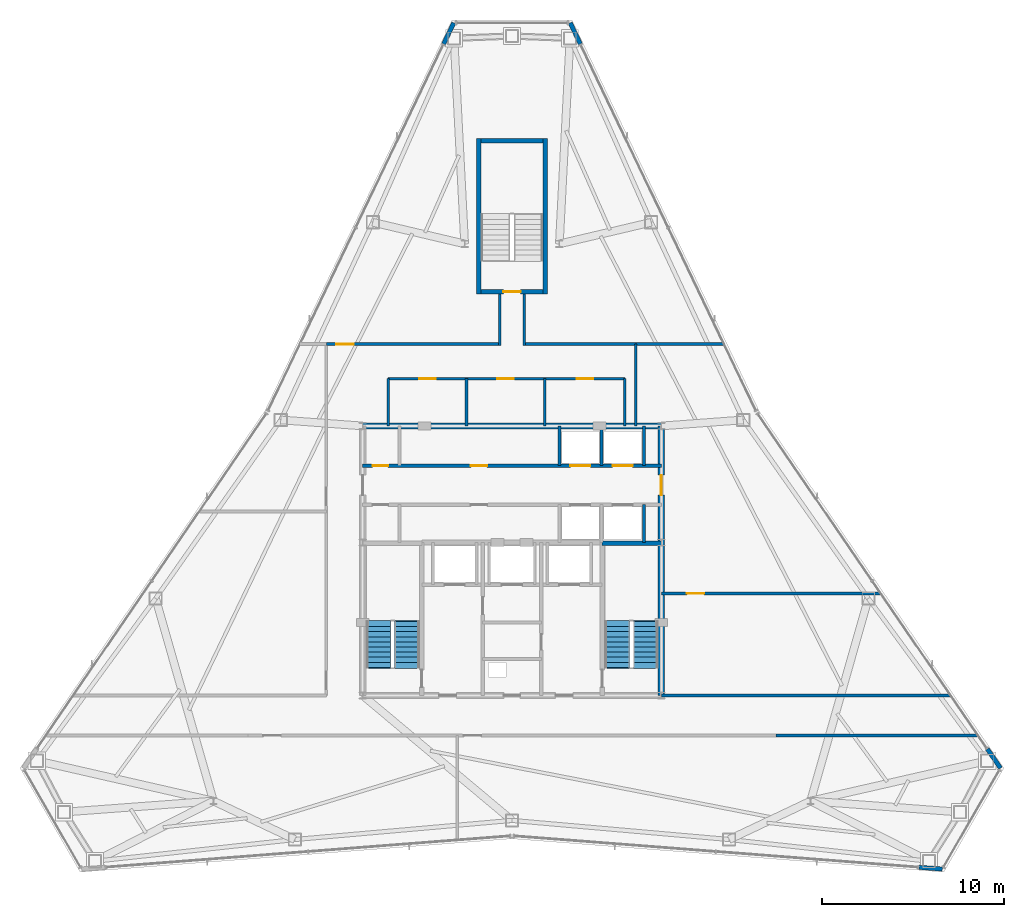
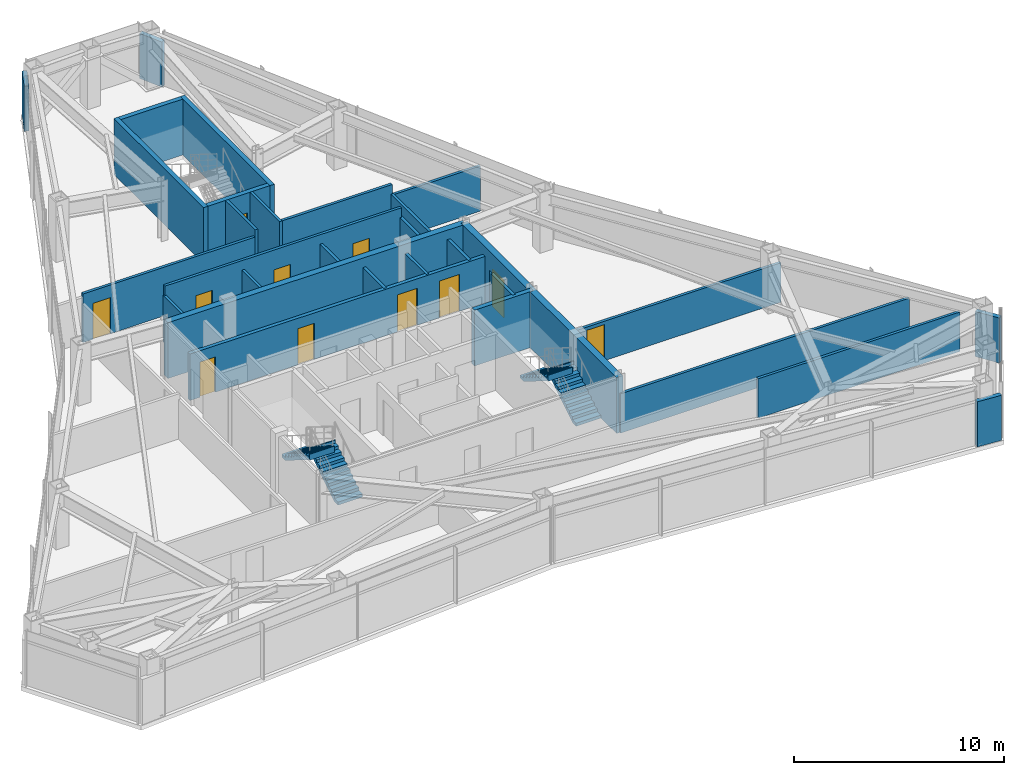
# One storey, part 10 of 12: 30 walls, 11 doors, 4 stair flights, 11 openings, 2 elements without a shape of their own.
"""IFC4 building model written with IfcOpenShell, lengths in metres."""

from ifc_helpers import new_model, si_unit, direction, frame, frame_2d, origin, place, context, subcontext, project, spatial, polyline, rectangle, outline, extrude, material, layer, layer_set, type_object, element, fill, aggregate, save


model = new_model("IFC4")

# Units and contexts
model_context = context("Model", 3, precision=1e-05, world=origin(), true_north=direction((0.0, 1.0)))
body_context = subcontext(model_context, "Body", "Model", "MODEL_VIEW")
ifc_project = project(units=[si_unit("LENGTHUNIT", "METRE"), si_unit("AREAUNIT", "SQUARE_METRE"), si_unit("VOLUMEUNIT", "CUBIC_METRE"), si_unit("PLANEANGLEUNIT", "RADIAN"), si_unit("MASSUNIT", "GRAM", prefix="KILO")], contexts=[model_context])

# Site, building, storey
site_placement = place(None, origin())
site = spatial("IfcSite", under=ifc_project, at=site_placement, CompositionType="ELEMENT")
building_placement = place(site_placement, origin())
building = spatial("IfcBuilding", under=site, at=building_placement, Name="Varakhsha Concourse Tower", CompositionType="ELEMENT")
storey_placement = place(building_placement, frame((0.0, 0.0, 218.89990234375)))
storey = spatial("IfcBuildingStorey", under=building, at=storey_placement, Name="L62", CompositionType="ELEMENT", Elevation=218.89990234375)

# Wall
ifc_material_1 = material(Name="Concrete fc 65 MPa", Category="concrete")
ifc_layer_1 = layer(ifc_material_1, 0.35009765625, Name="WL-CORE-350")
ifc_layer_set_1 = layer_set([ifc_layer_1], Name="Concrete fc 65 MPa")
wall_type_1 = type_object("IfcWallType", Name="WL-CORE-350", PredefinedType="SHEAR", material=ifc_layer_set_1)
wall_1_placement = place(storey_placement, frame((31.800048828125, 31.199951171875, 0.0), z_axis=(0.0, 0.0, 1.0), x_axis=(1.0, 0.0, 0.0)))
element("IfcWall", 1, at=wall_1_placement, inside=storey, type_object=wall_type_1, Name="L62 Wall CWALL-N-L62", PredefinedType="SHEAR", context=body_context, shape_type="SweptSolid", body=[
    extrude(rectangle(XDim=16.39990234375, YDim=0.35009765625, at=frame_2d((8.199951171875, 0.0))), origin(), (0.0, 0.0, 1.0), 3.25),
])

# Wall, opening, door
wall_2_placement = place(storey_placement, frame((48.199951171875, 16.39990234375, 0.0), z_axis=(0.0, 0.0, 1.0), x_axis=(0.0, 1.0, 0.0)))
wall_2 = element("IfcWall", 2, at=wall_2_placement, inside=storey, type_object=wall_type_1, Name="L62 Wall CWALL-E-L62", PredefinedType="SHEAR", context=body_context, shape_type="SweptSolid", body=[
    extrude(rectangle(XDim=14.800048828125, YDim=0.35009765625, at=frame_2d((7.39990234375, 0.0))), origin(), (0.0, 0.0, 1.0), 3.25),
])
opening_1_placement = place(wall_2_placement, frame((11.0, 0.0, 0.0)))
opening_1 = element("IfcOpeningElement", 3, at=opening_1_placement, cuts=wall_2, Name="Opening DL-01", PredefinedType="OPENING", context=body_context, shape_type="SweptSolid", body=[
    extrude(rectangle(XDim=1.10009765625, YDim=2.14990234375, at=frame_2d((0.550048828125, 1.074951171875))), frame((0.0, 0.18505859375, 0.0), z_axis=(0.0, -1.0, 0.0), x_axis=(1.0, 0.0, 0.0)), (0.0, 0.0, 1.0), 0.3701171875),
])
ifc_material_2 = material(Name="Anodised Bronze Architectural Aluminium AA 6063-T6", Category="aluminium")
door_type_1 = type_object("IfcDoorType", Name="DR-LOB-1100", OperationType="NOTDEFINED", PredefinedType="DOOR", material=ifc_material_2)
door_1_placement = place(opening_1_placement, origin())
door_1 = element("IfcDoor", 4, at=door_1_placement, inside=storey, type_object=door_type_1, Name="L62 Lift Lobby East Concourse Door", OperationType="SINGLE_SWING_RIGHT", OverallHeight=2.14990234375, OverallWidth=1.10009765625, PredefinedType="DOOR", context=body_context, shape_type="SweptSolid", body=[
    extrude(rectangle(XDim=1.10009765625, YDim=2.14990234375, at=frame_2d((0.550048828125, 1.074951171875))), frame((0.0, 0.02490234375, 0.0), z_axis=(0.0, -1.0, 0.0), x_axis=(1.0, 0.0, 0.0)), (0.0, 0.0, 1.0), 0.050048828125),
])
fill(opening_1, door_1)

# Walls
ifc_material_3 = material(Name="Concrete fc 45 MPa", Category="concrete")
ifc_layer_2 = layer(ifc_material_3, 0.239990234375, Name="WL-EXT-CRN-240")
ifc_layer_set_2 = layer_set([ifc_layer_2], Name="Concrete fc 45 MPa")
wall_type_2 = type_object("IfcWallType", Name="WL-EXT-CRN-240", PredefinedType="SHEAR", material=ifc_layer_set_2)
wall_3_placement = place(storey_placement, frame((36.7998046875, 53.33544921875, 0.0), z_axis=(0.0, 0.0, 1.0), x_axis=(-0.431865736831, -0.901937905485, 0.0)))
element("IfcWall", 5, at=wall_3_placement, inside=storey, type_object=wall_type_2, Name="L62 Wind-Corner Shoulder Wall F2", PredefinedType="SHEAR", context=body_context, shape_type="SweptSolid", body=[
    extrude(rectangle(XDim=1.284423828125, YDim=0.239990234375, at=frame_2d((0.64208984375, 0.0))), origin(), (0.0, 0.0, 1.0), 2.623046875),
])
wall_4_placement = place(storey_placement, frame((62.351318359375, 6.959716796875, 0.0), z_axis=(0.0, 0.0, 1.0), x_axis=(0.997033205721, -0.076972635974, 0.0)))
element("IfcWall", 6, at=wall_4_placement, inside=storey, type_object=wall_type_2, Name="L62 Wind-Corner Shoulder Wall F6", PredefinedType="SHEAR", context=body_context, shape_type="SweptSolid", body=[
    extrude(rectangle(XDim=1.28466796875, YDim=0.239990234375, at=frame_2d((0.642333984375, 0.0))), origin(), (0.0, 0.0, 1.0), 2.623046875),
])
for number, where, z_axis, x_axis, name in (
    (7, (66.832275390625, 12.40380859375, 0.0), (0.0, 0.0, 1.0), (-0.565269764291, 0.824906111978, 0.0), "L62 Wind-Corner Shoulder Wall F8"),
    (8, (43.7548828125, 52.177001953125, 0.0), (0.0, 0.0, 1.0), (-0.431865736831, 0.901937905485, 0.0), "L62 Wind-Corner Shoulder Wall F9"),
):
    element("IfcWall", number, at=place(storey_placement, frame(where, z_axis=z_axis, x_axis=x_axis)), inside=storey, type_object=wall_type_2, Name=name, PredefinedType="SHEAR", context=body_context, shape_type="SweptSolid", body=[
        extrude(rectangle(XDim=1.284423828125, YDim=0.239990234375, at=frame_2d((0.64208984375, 0.0))), origin(), (0.0, 0.0, 1.0), 2.623046875),
    ])

# Wall, openings, doors
ifc_material_4 = material(Name="Fire-Rated Type X Gypsum Partition Assembly", Category="gypsum")
ifc_layer_3 = layer(ifc_material_4, 0.14990234375, Name="WL-PART-150")
ifc_layer_set_3 = layer_set([ifc_layer_3], Name="Fire-Rated Type X Gypsum Partition Assembly")
wall_type_3 = type_object("IfcWallType", Name="WL-PART-150", PredefinedType="PARTITIONING", material=ifc_layer_set_3)
wall_5_placement = place(storey_placement, frame((33.199951171875, 33.800048828125, 0.0), z_axis=(0.0, 0.0, 1.0), x_axis=(1.0, 0.0, 0.0)))
wall_5 = element("IfcWall", 9, at=wall_5_placement, inside=storey, type_object=wall_type_3, Name="L62 Wall NBOH-N-L62", PredefinedType="PARTITIONING", context=body_context, shape_type="SweptSolid", body=[
    extrude(rectangle(XDim=13.0, YDim=0.14990234375, at=frame_2d((6.5, 0.0))), origin(), (0.0, 0.0, 1.0), 3.25),
])
opening_2_placement = place(wall_5_placement, frame((1.699951171875, 0.0, 0.0)))
opening_2 = element("IfcOpeningElement", 10, at=opening_2_placement, cuts=wall_5, Name="Opening DF-06", PredefinedType="OPENING", context=body_context, shape_type="SweptSolid", body=[
    extrude(rectangle(XDim=0.89990234375, YDim=2.10009765625, at=frame_2d((0.449951171875, 1.050048828125))), frame((0.0, 0.0849609375, 0.0), z_axis=(0.0, -1.0, 0.0), x_axis=(1.0, 0.0, 0.0)), (0.0, 0.0, 1.0), 0.169921875),
])
opening_3_placement = place(wall_5_placement, frame((6.0, 0.0, 0.0)))
opening_3 = element("IfcOpeningElement", 11, at=opening_3_placement, cuts=wall_5, Name="Opening DF-06", PredefinedType="OPENING", context=body_context, shape_type="SweptSolid", body=[
    extrude(rectangle(XDim=0.89990234375, YDim=2.10009765625, at=frame_2d((0.449951171875, 1.050048828125))), frame((0.0, 0.0849609375, 0.0), z_axis=(0.0, -1.0, 0.0), x_axis=(1.0, 0.0, 0.0)), (0.0, 0.0, 1.0), 0.169921875),
])
opening_4_placement = place(wall_5_placement, frame((10.35009765625, 0.0, 0.0)))
opening_4 = element("IfcOpeningElement", 12, at=opening_4_placement, cuts=wall_5, Name="Opening DF-06", PredefinedType="OPENING", context=body_context, shape_type="SweptSolid", body=[
    extrude(rectangle(XDim=0.89990234375, YDim=2.10009765625, at=frame_2d((0.449951171875, 1.050048828125))), frame((0.0, 0.0849609375, 0.0), z_axis=(0.0, -1.0, 0.0), x_axis=(1.0, 0.0, 0.0)), (0.0, 0.0, 1.0), 0.169921875),
])
ifc_material_5 = material(Name="Hollow Galvanised Steel Fire Door Assembly", Category="steel")
door_type_2 = type_object("IfcDoorType", Name="DR-FD60-900", OperationType="NOTDEFINED", PredefinedType="DOOR", material=ifc_material_5)
door_2_placement = place(opening_2_placement, origin())
door_2 = element("IfcDoor", 13, at=door_2_placement, inside=storey, type_object=door_type_2, Name="L62 Men Restroom WC Door", OperationType="SINGLE_SWING_LEFT", OverallHeight=2.10009765625, OverallWidth=0.89990234375, PredefinedType="DOOR", context=body_context, shape_type="SweptSolid", body=[
    extrude(rectangle(XDim=0.89990234375, YDim=2.10009765625, at=frame_2d((0.449951171875, 1.050048828125))), frame((0.0, 0.02490234375, 0.0), z_axis=(0.0, -1.0, 0.0), x_axis=(1.0, 0.0, 0.0)), (0.0, 0.0, 1.0), 0.050048828125),
])
fill(opening_2, door_2)
door_3_placement = place(opening_3_placement, origin())
door_3 = element("IfcDoor", 14, at=door_3_placement, inside=storey, type_object=door_type_2, Name="L62 Women Restroom WC Door", OperationType="SINGLE_SWING_RIGHT", OverallHeight=2.10009765625, OverallWidth=0.89990234375, PredefinedType="DOOR", context=body_context, shape_type="SweptSolid", body=[
    extrude(rectangle(XDim=0.89990234375, YDim=2.10009765625, at=frame_2d((0.449951171875, 1.050048828125))), frame((0.0, 0.02490234375, 0.0), z_axis=(0.0, -1.0, 0.0), x_axis=(1.0, 0.0, 0.0)), (0.0, 0.0, 1.0), 0.050048828125),
])
fill(opening_3, door_3)
door_4_placement = place(opening_4_placement, origin())
door_4 = element("IfcDoor", 15, at=door_4_placement, inside=storey, type_object=door_type_2, Name="L62 Accessible WC Door", OperationType="SINGLE_SWING_LEFT", OverallHeight=2.10009765625, OverallWidth=0.89990234375, PredefinedType="DOOR", context=body_context, shape_type="SweptSolid", body=[
    extrude(rectangle(XDim=0.89990234375, YDim=2.10009765625, at=frame_2d((0.449951171875, 1.050048828125))), frame((0.0, 0.02490234375, 0.0), z_axis=(0.0, -1.0, 0.0), x_axis=(1.0, 0.0, 0.0)), (0.0, 0.0, 1.0), 0.050048828125),
])
fill(opening_4, door_4)

# Walls
for number, where, z_axis, x_axis, name in (
    (16, (33.199951171875, 31.199951171875, 0.0), (0.0, 0.0, 1.0), (0.0, 1.0, 0.0), "L62 Wall NBOH-W-L62"),
    (17, (46.199951171875, 31.199951171875, 0.0), (0.0, 0.0, 1.0), (0.0, 1.0, 0.0), "L62 Wall NBOH-E-L62"),
    (18, (37.5, 31.199951171875, 0.0), (0.0, 0.0, 1.0), (0.0, 1.0, 0.0), "L62 Wall NBOH-D1-L62"),
    (19, (41.800048828125, 31.199951171875, 0.0), (0.0, 0.0, 1.0), (0.0, 1.0, 0.0), "L62 Wall NBOH-D2-L62"),
):
    element("IfcWall", number, at=place(storey_placement, frame(where, z_axis=z_axis, x_axis=x_axis)), inside=storey, type_object=wall_type_3, Name=name, PredefinedType="PARTITIONING", context=body_context, shape_type="SweptSolid", body=[
        extrude(rectangle(XDim=2.60009765625, YDim=0.14990234375, at=frame_2d((1.300048828125, 0.0))), origin(), (0.0, 0.0, 1.0), 2.705078125),
    ])
wall_6_placement = place(storey_placement, frame((54.5, 14.199951171875, 0.0), z_axis=(0.0, 0.0, 1.0), x_axis=(1.0, 0.0, 0.0)))
element("IfcWall", 20, at=wall_6_placement, inside=storey, type_object=wall_type_3, Name="L62 Wall CRW-SGAL-SE-L62", PredefinedType="PARTITIONING", context=body_context, shape_type="SweptSolid", body=[
    extrude(rectangle(XDim=11.095458984375, YDim=0.14990234375, at=frame_2d((5.5478515625, 0.0))), origin(), (0.0, 0.0, 1.0), 2.2919921875),
])
wall_7_placement = place(storey_placement, frame((48.199951171875, 16.39990234375, 0.0), z_axis=(0.0, 0.0, 1.0), x_axis=(1.0, 0.0, 0.0)))
element("IfcWall", 21, at=wall_7_placement, inside=storey, type_object=wall_type_3, Name="L62 Wall CRW-SGAL-NE-L62", PredefinedType="PARTITIONING", context=body_context, shape_type="SweptSolid", body=[
    extrude(rectangle(XDim=15.888427734375, YDim=0.14990234375, at=frame_2d((7.9443359375, 0.0))), origin(), (0.0, 0.0, 1.0), 2.2919921875),
])

# Wall, opening, door
wall_8_placement = place(storey_placement, frame((29.800048828125, 35.699951171875, 0.0), z_axis=(0.0, 0.0, 1.0), x_axis=(1.0, 0.0, 0.0)))
wall_8 = element("IfcWall", 22, at=wall_8_placement, inside=storey, type_object=wall_type_3, Name="L62 Wall CRW-N-L62", PredefinedType="PARTITIONING", context=body_context, shape_type="SweptSolid", body=[
    extrude(rectangle(XDim=9.449951171875, YDim=0.14990234375, at=frame_2d((4.72509765625, 0.0))), origin(), (0.0, 0.0, 1.0), 2.8330078125),
])
opening_5_placement = place(wall_8_placement, frame((0.550048828125, 0.0, 0.0)))
opening_5 = element("IfcOpeningElement", 23, at=opening_5_placement, cuts=wall_8, Name="Opening DF-05", PredefinedType="OPENING", context=body_context, shape_type="SweptSolid", body=[
    extrude(rectangle(XDim=0.949951171875, YDim=2.10009765625, at=frame_2d((0.47509765625, 1.050048828125))), frame((0.0, 0.0849609375, 0.0), z_axis=(0.0, -1.0, 0.0), x_axis=(1.0, 0.0, 0.0)), (0.0, 0.0, 1.0), 0.169921875),
])
door_type_3 = type_object("IfcDoorType", Name="DR-FD60-950", OperationType="NOTDEFINED", PredefinedType="DOOR", material=ifc_material_5)
door_5_placement = place(opening_5_placement, origin())
door_5 = element("IfcDoor", 24, at=door_5_placement, inside=storey, type_object=door_type_3, Name="L62 Mountain View Portfolio Risk Office L62-N1 Door", OperationType="SINGLE_SWING_LEFT", OverallHeight=2.10009765625, OverallWidth=0.949951171875, PredefinedType="DOOR", context=body_context, shape_type="SweptSolid", body=[
    extrude(rectangle(XDim=0.949951171875, YDim=2.10009765625, at=frame_2d((0.47509765625, 1.050048828125))), frame((0.0, 0.02490234375, 0.0), z_axis=(0.0, -1.0, 0.0), x_axis=(1.0, 0.0, 0.0)), (0.0, 0.0, 1.0), 0.050048828125),
])
fill(opening_5, door_5)

# Walls
wall_9_placement = place(storey_placement, frame((40.75, 35.699951171875, 0.0), z_axis=(0.0, 0.0, 1.0), x_axis=(1.0, 0.0, 0.0)))
element("IfcWall", 25, at=wall_9_placement, inside=storey, type_object=wall_type_3, Name="L62 Wall CRW-N-L62-B", PredefinedType="PARTITIONING", context=body_context, shape_type="SweptSolid", body=[
    extrude(rectangle(XDim=6.050048828125, YDim=0.14990234375, at=frame_2d((3.02490234375, 0.0))), origin(), (0.0, 0.0, 1.0), 3.25),
])
wall_10_placement = place(storey_placement, frame((46.800048828125, 31.199951171875, 0.0), z_axis=(0.0, 0.0, 1.0), x_axis=(0.0, 1.0, 0.0)))
element("IfcWall", 26, at=wall_10_placement, inside=storey, type_object=wall_type_3, Name="L62 Wall CRW-NE-L62", PredefinedType="PARTITIONING", context=body_context, shape_type="SweptSolid", body=[
    extrude(rectangle(XDim=4.5, YDim=0.14990234375, at=frame_2d((2.25, 0.0))), origin(), (0.0, 0.0, 1.0), 2.705078125),
])
wall_11_placement = place(storey_placement, frame((46.800048828125, 35.699951171875, 0.0), z_axis=(0.0, 0.0, 1.0), x_axis=(1.0, 0.0, 0.0)))
element("IfcWall", 27, at=wall_11_placement, inside=storey, type_object=wall_type_3, Name="L62 Wall ODIV-EBN-L62", PredefinedType="PARTITIONING", context=body_context, shape_type="SweptSolid", body=[
    extrude(rectangle(XDim=4.8388671875, YDim=0.14990234375, at=frame_2d((2.41943359375, 0.0))), origin(), (0.0, 0.0, 1.0), 2.628173828125),
])

# Wall, opening, door
wall_12_placement = place(storey_placement, frame((48.199951171875, 22.0, 0.0), z_axis=(0.0, 0.0, 1.0), x_axis=(1.0, 0.0, 0.0)))
wall_12 = element("IfcWall", 28, at=wall_12_placement, inside=storey, type_object=wall_type_3, Name="L62 Wall ODIV-E1-L62", PredefinedType="PARTITIONING", context=body_context, shape_type="SweptSolid", body=[
    extrude(rectangle(XDim=12.052001953125, YDim=0.14990234375, at=frame_2d((6.02587890625, 0.0))), origin(), (0.0, 0.0, 1.0), 2.2919921875),
])
opening_6_placement = place(wall_12_placement, frame((1.39990234375, 0.0, 0.0)))
opening_6 = element("IfcOpeningElement", 29, at=opening_6_placement, cuts=wall_12, Name="Opening DF-05", PredefinedType="OPENING", context=body_context, shape_type="SweptSolid", body=[
    extrude(rectangle(XDim=0.949951171875, YDim=2.10009765625, at=frame_2d((0.47509765625, 1.050048828125))), frame((0.0, 0.0849609375, 0.0), z_axis=(0.0, -1.0, 0.0), x_axis=(1.0, 0.0, 0.0)), (0.0, 0.0, 1.0), 0.169921875),
])
door_6_placement = place(opening_6_placement, origin())
door_6 = element("IfcDoor", 30, at=door_6_placement, inside=storey, type_object=door_type_3, Name="L62 East Suite Interconnect Door 1", OperationType="SINGLE_SWING_LEFT", OverallHeight=2.10009765625, OverallWidth=0.949951171875, PredefinedType="DOOR", context=body_context, shape_type="SweptSolid", body=[
    extrude(rectangle(XDim=0.949951171875, YDim=2.10009765625, at=frame_2d((0.47509765625, 1.050048828125))), frame((0.0, 0.02490234375, 0.0), z_axis=(0.0, -1.0, 0.0), x_axis=(1.0, 0.0, 0.0)), (0.0, 0.0, 1.0), 0.050048828125),
])
fill(opening_6, door_6)

# Walls
for number, where, z_axis, x_axis, name in (
    (31, (39.324951171875, 35.625, 0.0), (0.0, 0.0, 1.0), (0.0, 1.0, 0.0), "L62 Wall STUB-W-L62"),
    (32, (40.675048828125, 35.625, 0.0), (0.0, 0.0, 1.0), (0.0, 1.0, 0.0), "L62 Wall STUB-E-L62"),
):
    element("IfcWall", number, at=place(storey_placement, frame(where, z_axis=z_axis, x_axis=x_axis)), inside=storey, type_object=wall_type_3, Name=name, PredefinedType="PARTITIONING", context=body_context, shape_type="SweptSolid", body=[
        extrude(rectangle(XDim=2.824951171875, YDim=0.14990234375, at=frame_2d((1.41259765625, 0.0))), origin(), (0.0, 0.0, 1.0), 3.25),
    ])

# Wall, openings, doors
ifc_layer_4 = layer(ifc_material_4, 0.199951171875, Name="WL-SHAFT-220")
ifc_layer_set_4 = layer_set([ifc_layer_4], Name="Fire-Rated Type X Gypsum Partition Assembly")
wall_type_4 = type_object("IfcWallType", Name="WL-SHAFT-220", PredefinedType="SOLIDWALL", material=ifc_layer_set_4)
wall_13_placement = place(storey_placement, frame((31.800048828125, 29.02001953125, 0.0), z_axis=(0.0, 0.0, 1.0), x_axis=(1.0, 0.0, 0.0)))
wall_13 = element("IfcWall", 33, at=wall_13_placement, inside=storey, type_object=wall_type_4, Name="L62 Wall PLW-N-L62", PredefinedType="SOLIDWALL", context=body_context, shape_type="SweptSolid", body=[
    extrude(rectangle(XDim=16.39990234375, YDim=0.199951171875, at=frame_2d((8.199951171875, 0.0))), origin(), (0.0, 0.0, 1.0), 2.705078125),
])
opening_7_placement = place(wall_13_placement, frame((0.550048828125, 0.0, 0.0)))
opening_7 = element("IfcOpeningElement", 34, at=opening_7_placement, cuts=wall_13, Name="Opening DF-07", PredefinedType="OPENING", context=body_context, shape_type="SweptSolid", body=[
    extrude(rectangle(XDim=0.85009765625, YDim=2.050048828125, at=frame_2d((0.425048828125, 1.02490234375))), frame((0.0, 0.10986328125, 0.0), z_axis=(0.0, -1.0, 0.0), x_axis=(1.0, 0.0, 0.0)), (0.0, 0.0, 1.0), 0.219970703125),
])
opening_8_placement = place(wall_13_placement, frame((5.93994140625, 0.0, 0.0)))
opening_8 = element("IfcOpeningElement", 35, at=opening_8_placement, cuts=wall_13, Name="Opening DF-06", PredefinedType="OPENING", context=body_context, shape_type="SweptSolid", body=[
    extrude(rectangle(XDim=0.89990234375, YDim=2.10009765625, at=frame_2d((0.449951171875, 1.050048828125))), frame((0.0, 0.10986328125, 0.0), z_axis=(0.0, -1.0, 0.0), x_axis=(1.0, 0.0, 0.0)), (0.0, 0.0, 1.0), 0.219970703125),
])
opening_9_placement = place(wall_13_placement, frame((11.409912109375, 0.0, 0.0)))
opening_9 = element("IfcOpeningElement", 36, at=opening_9_placement, cuts=wall_13, Name="Opening LD-LF-P09", PredefinedType="OPENING", context=body_context, shape_type="SweptSolid", body=[
    extrude(rectangle(XDim=1.10009765625, YDim=2.14990234375, at=frame_2d((0.550048828125, 1.074951171875))), frame((0.0, 0.10986328125, 0.0), z_axis=(0.0, -1.0, 0.0), x_axis=(1.0, 0.0, 0.0)), (0.0, 0.0, 1.0), 0.219970703125),
])
opening_10_placement = place(wall_13_placement, frame((13.72998046875, 0.0, 0.0)))
opening_10 = element("IfcOpeningElement", 37, at=opening_10_placement, cuts=wall_13, Name="Opening LD-LF-P10", PredefinedType="OPENING", context=body_context, shape_type="SweptSolid", body=[
    extrude(rectangle(XDim=1.10009765625, YDim=2.14990234375, at=frame_2d((0.550048828125, 1.074951171875))), frame((0.0, 0.10986328125, 0.0), z_axis=(0.0, -1.0, 0.0), x_axis=(1.0, 0.0, 0.0)), (0.0, 0.0, 1.0), 0.219970703125),
])
door_type_4 = type_object("IfcDoorType", Name="DR-FD60-850", OperationType="NOTDEFINED", PredefinedType="DOOR", material=ifc_material_5)
door_7_placement = place(opening_7_placement, origin())
door_7 = element("IfcDoor", 38, at=door_7_placement, inside=storey, type_object=door_type_4, Name="L62 Core Janitor Closet Door", OperationType="SINGLE_SWING_LEFT", OverallHeight=2.050048828125, OverallWidth=0.85009765625, PredefinedType="DOOR", context=body_context, shape_type="SweptSolid", body=[
    extrude(rectangle(XDim=0.85009765625, YDim=2.050048828125, at=frame_2d((0.425048828125, 1.02490234375))), frame((0.0, 0.02490234375, 0.0), z_axis=(0.0, -1.0, 0.0), x_axis=(1.0, 0.0, 0.0)), (0.0, 0.0, 1.0), 0.050048828125),
])
fill(opening_7, door_7)
door_8_placement = place(opening_8_placement, origin())
door_8 = element("IfcDoor", 39, at=door_8_placement, inside=storey, type_object=door_type_2, Name="L62 Tenant Archive and IT Server Room Door", OperationType="SINGLE_SWING_LEFT", OverallHeight=2.10009765625, OverallWidth=0.89990234375, PredefinedType="DOOR", context=body_context, shape_type="SweptSolid", body=[
    extrude(rectangle(XDim=0.89990234375, YDim=2.10009765625, at=frame_2d((0.449951171875, 1.050048828125))), frame((0.0, 0.02490234375, 0.0), z_axis=(0.0, -1.0, 0.0), x_axis=(1.0, 0.0, 0.0)), (0.0, 0.0, 1.0), 0.050048828125),
])
fill(opening_8, door_8)
ifc_material_6 = material(Name="Brushed Austenitic Stainless Steel AISI 316", Category="steel")
door_type_5 = type_object("IfcDoorType", Name="DR-LD-1100", OperationType="DOUBLE_DOOR_SLIDING", PredefinedType="DOOR", material=ifc_material_6)
door_9_placement = place(opening_9_placement, origin())
door_9 = element("IfcDoor", 40, at=door_9_placement, inside=storey, type_object=door_type_5, Name="Lift Landing Door LF-P09 L62", OperationType="DOUBLE_DOOR_SLIDING", OverallHeight=2.14990234375, OverallWidth=1.10009765625, PredefinedType="DOOR", context=body_context, shape_type="SweptSolid", body=[
    extrude(rectangle(XDim=1.10009765625, YDim=2.14990234375, at=frame_2d((0.550048828125, 1.074951171875))), frame((0.0, 0.02490234375, 0.0), z_axis=(0.0, -1.0, 0.0), x_axis=(1.0, 0.0, 0.0)), (0.0, 0.0, 1.0), 0.050048828125),
])
fill(opening_9, door_9)
door_10_placement = place(opening_10_placement, origin())
door_10 = element("IfcDoor", 41, at=door_10_placement, inside=storey, type_object=door_type_5, Name="Lift Landing Door LF-P10 L62", OperationType="DOUBLE_DOOR_SLIDING", OverallHeight=2.14990234375, OverallWidth=1.10009765625, PredefinedType="DOOR", context=body_context, shape_type="SweptSolid", body=[
    extrude(rectangle(XDim=1.10009765625, YDim=2.14990234375, at=frame_2d((0.550048828125, 1.074951171875))), frame((0.0, 0.02490234375, 0.0), z_axis=(0.0, -1.0, 0.0), x_axis=(1.0, 0.0, 0.0)), (0.0, 0.0, 1.0), 0.050048828125),
])
fill(opening_10, door_10)

# Walls
for number, where, z_axis, x_axis, name in (
    (42, (42.60009765625, 29.02001953125, 0.0), (0.0, 0.0, 1.0), (0.0, 1.0, 0.0), "L62 Wall SHW-LF-P09-W-L62"),
    (43, (44.919921875, 29.02001953125, 0.0), (0.0, 0.0, 1.0), (0.0, 1.0, 0.0), "L62 Wall SHW-LF-P09-E-L62"),
    (44, (47.239990234375, 29.02001953125, 0.0), (0.0, 0.0, 1.0), (0.0, 1.0, 0.0), "L62 Wall SHW-LF-P10-E-L62"),
):
    element("IfcWall", number, at=place(storey_placement, frame(where, z_axis=z_axis, x_axis=x_axis)), inside=storey, type_object=wall_type_4, Name=name, PredefinedType="SOLIDWALL", context=body_context, shape_type="SweptSolid", body=[
        extrude(rectangle(XDim=2.179931640625, YDim=0.159912109375, at=frame_2d((1.08984375, 0.0))), origin(), (0.0, 0.0, 1.0), 2.705078125),
    ])
wall_14_placement = place(storey_placement, frame((47.239990234375, 24.800048828125, 0.0), z_axis=(0.0, 0.0, 1.0), x_axis=(0.0, 1.0, 0.0)))
element("IfcWall", 45, at=wall_14_placement, inside=storey, type_object=wall_type_4, Name="L62 Wall SHW-LF-P12-E-L62", PredefinedType="SOLIDWALL", context=body_context, shape_type="SweptSolid", body=[
    extrude(rectangle(XDim=2.079833984375, YDim=0.159912109375, at=frame_2d((1.0400390625, 0.0))), origin(), (0.0, 0.0, 1.0), 3.25),
])
ifc_layer_5 = layer(ifc_material_3, 0.25, Name="WL-STAIR-250")
ifc_layer_set_5 = layer_set([ifc_layer_5], Name="Concrete fc 45 MPa")
wall_type_5 = type_object("IfcWallType", Name="WL-STAIR-250", PredefinedType="SHEAR", material=ifc_layer_set_5)
wall_15_placement = place(storey_placement, frame((44.955078125, 24.7548828125, 0.0), z_axis=(0.0, 0.0, 1.0), x_axis=(1.0, 0.0, 0.0)))
element("IfcWall", 46, at=wall_15_placement, inside=storey, type_object=wall_type_5, Name="L62 Wall SWALL-ST2-N-L62", PredefinedType="SHEAR", context=body_context, shape_type="SweptSolid", body=[
    extrude(rectangle(XDim=3.244873046875, YDim=0.25, at=frame_2d((1.62255859375, 0.0))), origin(), (0.0, 0.0, 1.0), 3.25),
])
for number, where, z_axis, x_axis, name in (
    (47, (38.175048828125, 38.449951171875, 0.0), (0.0, 0.0, 1.0), (0.0, 1.0, 0.0), "L62 Wall SWALL-ST5-W-L62"),
    (48, (41.824951171875, 38.449951171875, 0.0), (0.0, 0.0, 1.0), (0.0, 1.0, 0.0), "L62 Wall SWALL-ST5-E-L62"),
):
    element("IfcWall", number, at=place(storey_placement, frame(where, z_axis=z_axis, x_axis=x_axis)), inside=storey, type_object=wall_type_5, Name=name, PredefinedType="SHEAR", context=body_context, shape_type="SweptSolid", body=[
        extrude(rectangle(XDim=8.550048828125, YDim=0.25, at=frame_2d((4.27490234375, 0.0))), origin(), (0.0, 0.0, 1.0), 3.25),
    ])

# Wall, opening, door
wall_16_placement = place(storey_placement, frame((38.300048828125, 38.574951171875, 0.0), z_axis=(0.0, 0.0, 1.0), x_axis=(1.0, 0.0, 0.0)))
wall_16 = element("IfcWall", 49, at=wall_16_placement, inside=storey, type_object=wall_type_5, Name="L62 Wall SWALL-ST5-S-L62", PredefinedType="SHEAR", context=body_context, shape_type="SweptSolid", body=[
    extrude(rectangle(XDim=3.39990234375, YDim=0.25, at=frame_2d((1.699951171875, 0.0))), origin(), (0.0, 0.0, 1.0), 3.25),
])
opening_11_placement = place(wall_16_placement, frame((1.22509765625, 0.0, 0.0)))
opening_11 = element("IfcOpeningElement", 50, at=opening_11_placement, cuts=wall_16, Name="Opening DF-03", PredefinedType="OPENING", context=body_context, shape_type="SweptSolid", body=[
    extrude(rectangle(XDim=0.949951171875, YDim=2.10009765625, at=frame_2d((0.47509765625, 1.050048828125))), frame((0.0, 0.135009765625, 0.0), z_axis=(0.0, -1.0, 0.0), x_axis=(1.0, 0.0, 0.0)), (0.0, 0.0, 1.0), 0.27001953125),
])
door_type_6 = type_object("IfcDoorType", Name="DR-FD90-950", OperationType="NOTDEFINED", PredefinedType="DOOR", material=ifc_material_5)
door_11_placement = place(opening_11_placement, origin())
door_11 = element("IfcDoor", 51, at=door_11_placement, inside=storey, type_object=door_type_6, Name="L62 Stair ST5 Fire Door", OperationType="SINGLE_SWING_RIGHT", OverallHeight=2.10009765625, OverallWidth=0.949951171875, PredefinedType="DOOR", context=body_context, shape_type="SweptSolid", body=[
    extrude(rectangle(XDim=0.949951171875, YDim=2.10009765625, at=frame_2d((0.47509765625, 1.050048828125))), frame((0.0, 0.02490234375, 0.0), z_axis=(0.0, -1.0, 0.0), x_axis=(1.0, 0.0, 0.0)), (0.0, 0.0, 1.0), 0.050048828125),
])
fill(opening_11, door_11)

# Wall
wall_17_placement = place(storey_placement, frame((38.300048828125, 46.875, 0.0), z_axis=(0.0, 0.0, 1.0), x_axis=(1.0, 0.0, 0.0)))
element("IfcWall", 52, at=wall_17_placement, inside=storey, type_object=wall_type_5, Name="L62 Wall SWALL-ST5-N-L62", PredefinedType="SHEAR", context=body_context, shape_type="SweptSolid", body=[
    extrude(rectangle(XDim=3.39990234375, YDim=0.25, at=frame_2d((1.699951171875, 0.0))), origin(), (0.0, 0.0, 1.0), 3.25),
])

# Stair, stair flights
stair_type = type_object("IfcStairType", Name="ST-DOGLEG-1360", PredefinedType="HALF_TURN_STAIR", material=ifc_material_3)
stair_1_placement = place(storey_placement, origin())
stair_1 = element("IfcStair", 53, at=stair_1_placement, inside=storey, type_object=stair_type, Name="L62 Protected Exit Stair ST1", PredefinedType="HALF_TURN_STAIR")
stair_flight_type = type_object("IfcStairFlightType", Name="STF-1360-R1750", PredefinedType="STRAIGHT", material=ifc_material_3)
stair_flight_1_placement = place(storey_placement, frame((34.239990234375, 17.93994140625, 0.0), z_axis=(0.0, 0.0, 1.0), x_axis=(0.0, 1.0, 0.0)))
stair_flight_1 = element("IfcStairFlight", 54, at=stair_flight_1_placement, type_object=stair_flight_type, Name="ST1 flight 1", NumberOfRisers=10, NumberOfTreads=9, PredefinedType="STRAIGHT", RiserHeight=0.175, TreadLength=0.28, context=body_context, shape_type="SweptSolid", body=[
    extrude(outline(polyline([(-0.06005859375, 0.0), (-0.06005859375, 0.175048828125), (0.0, 0.175048828125), (0.280029296875, 0.175048828125), (0.280029296875, 0.35009765625), (0.56005859375, 0.35009765625), (0.56005859375, 0.52490234375), (0.840087890625, 0.52490234375), (0.840087890625, 0.699951171875), (1.1201171875, 0.699951171875), (1.1201171875, 0.875), (1.39990234375, 0.875), (1.39990234375, 1.050048828125), (1.679931640625, 1.050048828125), (1.679931640625, 1.22509765625), (1.9599609375, 1.22509765625), (1.9599609375, 1.39990234375), (2.239990234375, 1.39990234375), (2.239990234375, 1.574951171875), (2.52001953125, 1.574951171875), (2.52001953125, 1.75), (2.580078125, 1.75), (2.580078125, 1.398193359375), (2.52001953125, 1.398193359375), (0.28271484375, 0.0), (-0.06005859375, 0.0)])), frame((0.0, 0.68017578125, 0.0), z_axis=(0.0, -1.0, 0.0), x_axis=(1.0, 0.0, 0.0)), (0.0, 0.0, 1.0), 1.360107421875),
])
stair_flight_2_placement = place(storey_placement, frame((32.679931640625, 20.4599609375, 1.75), z_axis=(0.0, 0.0, 1.0), x_axis=(0.0, -1.0, 0.0)))
stair_flight_2 = element("IfcStairFlight", 55, at=stair_flight_2_placement, type_object=stair_flight_type, Name="ST1 flight 2", NumberOfRisers=10, NumberOfTreads=9, PredefinedType="STRAIGHT", RiserHeight=0.175, TreadLength=0.28, context=body_context, shape_type="SweptSolid", body=[
    extrude(outline(polyline([(-0.06005859375, 0.0), (-0.06005859375, 0.175048828125), (0.0, 0.175048828125), (0.280029296875, 0.175048828125), (0.280029296875, 0.35009765625), (0.56005859375, 0.35009765625), (0.56005859375, 0.52490234375), (0.840087890625, 0.52490234375), (0.840087890625, 0.699951171875), (1.1201171875, 0.699951171875), (1.1201171875, 0.875), (1.39990234375, 0.875), (1.39990234375, 1.050048828125), (1.679931640625, 1.050048828125), (1.679931640625, 1.22509765625), (1.9599609375, 1.22509765625), (1.9599609375, 1.39990234375), (2.239990234375, 1.39990234375), (2.239990234375, 1.574951171875), (2.52001953125, 1.574951171875), (2.52001953125, 1.75), (2.580078125, 1.75), (2.580078125, 1.398193359375), (2.52001953125, 1.398193359375), (0.28271484375, 0.0), (-0.06005859375, 0.0)])), frame((0.0, 0.68017578125, 0.0), z_axis=(0.0, -1.0, 0.0), x_axis=(1.0, 0.0, 0.0)), (0.0, 0.0, 1.0), 1.360107421875),
])
aggregate(stair_1, [stair_flight_1, stair_flight_2])

stair_2_placement = place(storey_placement, origin())
stair_2 = element("IfcStair", 56, at=stair_2_placement, inside=storey, type_object=stair_type, Name="L62 Protected Exit Stair ST2", PredefinedType="HALF_TURN_STAIR")
stair_flight_3_placement = place(storey_placement, frame((47.340087890625, 17.93994140625, 0.0), z_axis=(0.0, 0.0, 1.0), x_axis=(0.0, 1.0, 0.0)))
stair_flight_3 = element("IfcStairFlight", 57, at=stair_flight_3_placement, type_object=stair_flight_type, Name="ST2 flight 1", NumberOfRisers=10, NumberOfTreads=9, PredefinedType="STRAIGHT", RiserHeight=0.175, TreadLength=0.28, context=body_context, shape_type="SweptSolid", body=[
    extrude(outline(polyline([(-0.06005859375, 0.0), (-0.06005859375, 0.175048828125), (0.0, 0.175048828125), (0.280029296875, 0.175048828125), (0.280029296875, 0.35009765625), (0.56005859375, 0.35009765625), (0.56005859375, 0.52490234375), (0.840087890625, 0.52490234375), (0.840087890625, 0.699951171875), (1.1201171875, 0.699951171875), (1.1201171875, 0.875), (1.39990234375, 0.875), (1.39990234375, 1.050048828125), (1.679931640625, 1.050048828125), (1.679931640625, 1.22509765625), (1.9599609375, 1.22509765625), (1.9599609375, 1.39990234375), (2.239990234375, 1.39990234375), (2.239990234375, 1.574951171875), (2.52001953125, 1.574951171875), (2.52001953125, 1.75), (2.580078125, 1.75), (2.580078125, 1.398193359375), (2.52001953125, 1.398193359375), (0.28271484375, 0.0), (-0.06005859375, 0.0)])), frame((0.0, 0.68017578125, 0.0), z_axis=(0.0, -1.0, 0.0), x_axis=(1.0, 0.0, 0.0)), (0.0, 0.0, 1.0), 1.360107421875),
])
stair_flight_4_placement = place(storey_placement, frame((45.780029296875, 20.4599609375, 1.75), z_axis=(0.0, 0.0, 1.0), x_axis=(0.0, -1.0, 0.0)))
stair_flight_4 = element("IfcStairFlight", 58, at=stair_flight_4_placement, type_object=stair_flight_type, Name="ST2 flight 2", NumberOfRisers=10, NumberOfTreads=9, PredefinedType="STRAIGHT", RiserHeight=0.175, TreadLength=0.28, context=body_context, shape_type="SweptSolid", body=[
    extrude(outline(polyline([(-0.06005859375, 0.0), (-0.06005859375, 0.175048828125), (0.0, 0.175048828125), (0.280029296875, 0.175048828125), (0.280029296875, 0.35009765625), (0.56005859375, 0.35009765625), (0.56005859375, 0.52490234375), (0.840087890625, 0.52490234375), (0.840087890625, 0.699951171875), (1.1201171875, 0.699951171875), (1.1201171875, 0.875), (1.39990234375, 0.875), (1.39990234375, 1.050048828125), (1.679931640625, 1.050048828125), (1.679931640625, 1.22509765625), (1.9599609375, 1.22509765625), (1.9599609375, 1.39990234375), (2.239990234375, 1.39990234375), (2.239990234375, 1.574951171875), (2.52001953125, 1.574951171875), (2.52001953125, 1.75), (2.580078125, 1.75), (2.580078125, 1.398193359375), (2.52001953125, 1.398193359375), (0.28271484375, 0.0), (-0.06005859375, 0.0)])), frame((0.0, 0.68017578125, 0.0), z_axis=(0.0, -1.0, 0.0), x_axis=(1.0, 0.0, 0.0)), (0.0, 0.0, 1.0), 1.360107421875),
])
aggregate(stair_2, [stair_flight_3, stair_flight_4])

save(model, "model.ifc")
